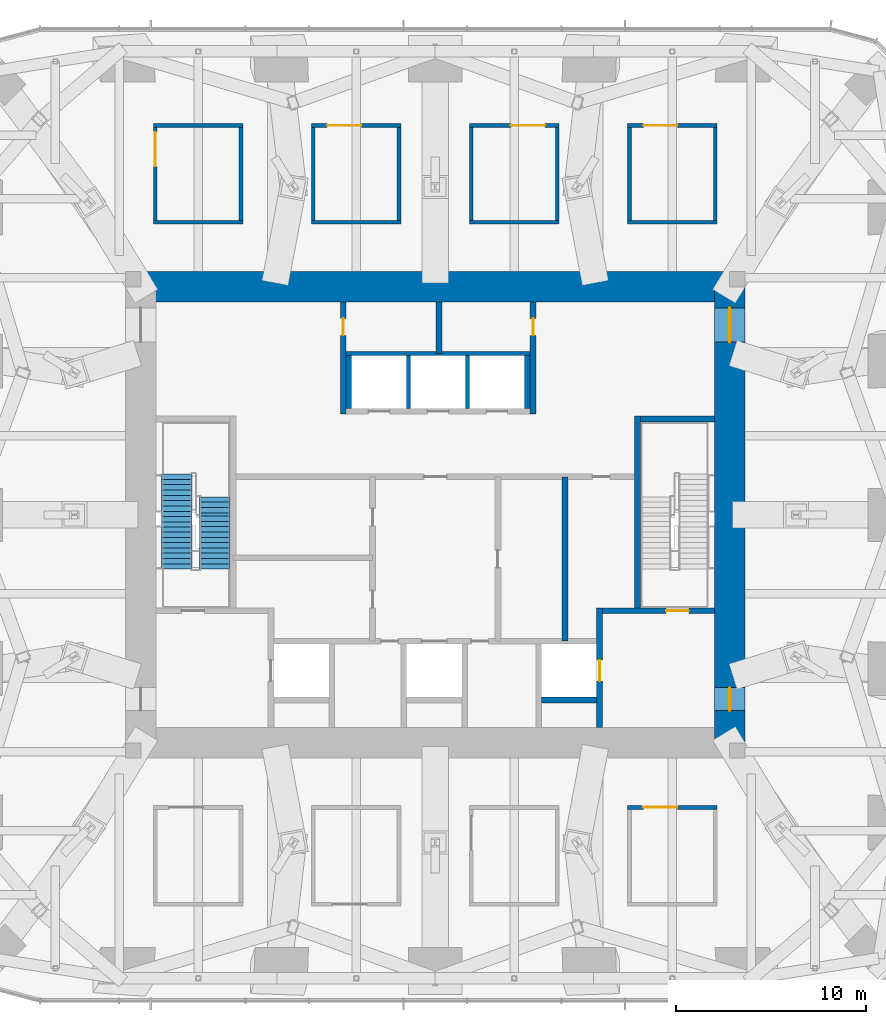
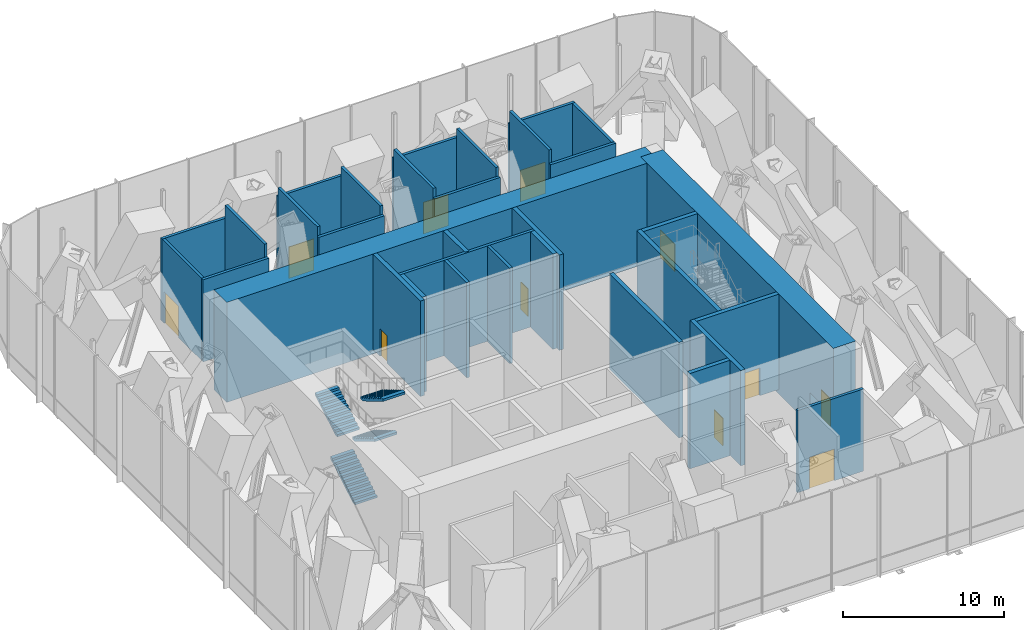
# One storey, part 13 of 16: 33 walls, 11 doors, 4 stair flights, 11 openings, 1 element without a shape of its own.
"""IFC4 building model written with IfcOpenShell, lengths in metres."""

from ifc_helpers import new_model, si_unit, direction, frame, frame_2d, origin, place, context, subcontext, project, spatial, polyline, rectangle, outline, extrude, material, layer, layer_set, type_object, element, fill, aggregate, save


model = new_model("IFC4")

# Units and contexts
model_context = context("Model", 3, precision=1e-05, world=origin(), true_north=direction((0.0, 1.0)))
body_context = subcontext(model_context, "Body", "Model", "MODEL_VIEW")
ifc_project = project(units=[si_unit("LENGTHUNIT", "METRE"), si_unit("AREAUNIT", "SQUARE_METRE"), si_unit("VOLUMEUNIT", "CUBIC_METRE"), si_unit("PLANEANGLEUNIT", "RADIAN"), si_unit("MASSUNIT", "GRAM", prefix="KILO")], contexts=[model_context])

# Site, building, storey
site_placement = place(None, origin())
site = spatial("IfcSite", under=ifc_project, at=site_placement, CompositionType="ELEMENT")
building_placement = place(site_placement, origin())
building = spatial("IfcBuilding", under=site, at=building_placement, Name="Khuree Lantern Residences", CompositionType="ELEMENT")
storey_placement = place(building_placement, frame((0.0, 0.0, 278.25)))
storey = spatial("IfcBuildingStorey", under=building, at=storey_placement, Name="L70", CompositionType="ELEMENT", Elevation=278.25)

# Wall, opening, door
ifc_material_1 = material(Name="Dense concrete blockwork", Category="masonry")
ifc_layer_1 = layer(ifc_material_1, 0.300048828125)
ifc_layer_set_1 = layer_set([ifc_layer_1], Name="CORE PARTITION WALL CPW300 EI 120")
wall_type_1 = type_object("IfcWallType", Name="CORE PARTITION WALL CPW300 EI 120", PredefinedType="PARTITIONING", material=ifc_layer_set_1)
wall_1_placement = place(storey_placement, frame((8.64990234375, -11.199951171875, 0.0), z_axis=(0.0, 0.0, 1.0), x_axis=(0.0, 1.0, 0.0)))
wall_1 = element("IfcWall", 1, at=wall_1_placement, inside=storey, type_object=wall_type_1, Name="L70 CORE WALL FL2E", PredefinedType="PARTITIONING", context=body_context, shape_type="SweptSolid", body=[
    extrude(rectangle(XDim=6.300048828125, YDim=0.300048828125, at=frame_2d((3.14990234375, 0.0))), origin(), (0.0, 0.0, 1.0), 7.25),
])
opening_1_placement = place(wall_1_placement, frame((2.449951171875, 0.0, 0.0)))
opening_1 = element("IfcOpeningElement", 2, at=opening_1_placement, cuts=wall_1, Name="Opening 70-008", PredefinedType="OPENING", context=body_context, shape_type="SweptSolid", body=[
    extrude(rectangle(XDim=1.10009765625, YDim=2.10009765625, at=frame_2d((0.550048828125, 1.050048828125))), frame((0.0, 0.16015625, 0.0), z_axis=(0.0, -1.0, 0.0), x_axis=(1.0, 0.0, 0.0)), (0.0, 0.0, 1.0), 0.320068359375),
])
ifc_material_2 = material(Name="Stainless steel lift landing door", Category="steel")
door_type_1 = type_object("IfcDoorType", Name="LIFT LANDING DOOR 1100X2100 E 120", OperationType="DOUBLE_DOOR_SLIDING", PredefinedType="DOOR", material=ifc_material_2)
door_1_placement = place(opening_1_placement, origin())
door_1 = element("IfcDoor", 3, at=door_1_placement, inside=storey, type_object=door_type_1, Name="Landing door FL2 70-008", OperationType="DOUBLE_DOOR_SLIDING", OverallHeight=2.10009765625, OverallWidth=1.10009765625, PredefinedType="DOOR", context=body_context, shape_type="SweptSolid", body=[
    extrude(rectangle(XDim=1.10009765625, YDim=2.10009765625, at=frame_2d((0.550048828125, 1.050048828125))), frame((0.0, 0.02490234375, 0.0), z_axis=(0.0, -1.0, 0.0), x_axis=(1.0, 0.0, 0.0)), (0.0, 0.0, 1.0), 0.050048828125),
])
fill(opening_1, door_1)

# Walls
wall_2_placement = place(storey_placement, frame((5.60009765625, -9.75, 0.0), z_axis=(0.0, 0.0, 1.0), x_axis=(1.0, 0.0, 0.0)))
element("IfcWall", 4, at=wall_2_placement, inside=storey, type_object=wall_type_1, Name="L70 CORE WALL FL2S", PredefinedType="PARTITIONING", context=body_context, shape_type="SweptSolid", body=[
    extrude(rectangle(XDim=2.89990234375, YDim=0.300048828125, at=frame_2d((1.449951171875, 0.0))), origin(), (0.0, 0.0, 1.0), 7.25),
])
for number, where, z_axis, x_axis, name in (
    (5, (-4.550048828125, 5.60009765625, 0.0), (0.0, 0.0, 1.0), (0.0, 1.0, 0.0), "L70 CORE WALL PHW"),
    (6, (4.85009765625, 5.60009765625, 0.0), (0.0, 0.0, 1.0), (0.0, 1.0, 0.0), "L70 CORE WALL PHE"),
):
    element("IfcWall", number, at=place(storey_placement, frame(where, z_axis=z_axis, x_axis=x_axis)), inside=storey, type_object=wall_type_1, Name=name, PredefinedType="PARTITIONING", context=body_context, shape_type="SweptSolid", body=[
        extrude(rectangle(XDim=2.7998046875, YDim=0.300048828125, at=frame_2d((1.39990234375, 0.0))), origin(), (0.0, 0.0, 1.0), 7.25),
    ])
wall_3_placement = place(storey_placement, frame((6.833984375, -6.64990234375, 0.0), z_axis=(0.0, 0.0, 1.0), x_axis=(0.0, 1.0, 0.0)))
element("IfcWall", 7, at=wall_3_placement, inside=storey, type_object=wall_type_1, Name="L70 CORE WALL EV", PredefinedType="PARTITIONING", context=body_context, shape_type="SweptSolid", body=[
    extrude(rectangle(XDim=8.64990234375, YDim=0.300048828125, at=frame_2d((4.324951171875, 0.0))), origin(), (0.0, 0.0, 1.0), 7.25),
])

# Wall, opening, door
wall_4_placement = place(storey_placement, frame((-4.85009765625, 5.300048828125, 0.0), z_axis=(0.0, 0.0, 1.0), x_axis=(0.0, 1.0, 0.0)))
wall_4 = element("IfcWall", 8, at=wall_4_placement, inside=storey, type_object=wall_type_1, Name="L70 CORE WALL NW", PredefinedType="PARTITIONING", context=body_context, shape_type="SweptSolid", body=[
    extrude(rectangle(XDim=5.89990234375, YDim=0.300048828125, at=frame_2d((2.949951171875, 0.0))), origin(), (0.0, 0.0, 1.0), 7.25),
])
opening_2_placement = place(wall_4_placement, frame((4.14990234375, 0.0, 0.0)))
opening_2 = element("IfcOpeningElement", 9, at=opening_2_placement, cuts=wall_4, Name="Opening 70-020", PredefinedType="OPENING", context=body_context, shape_type="SweptSolid", body=[
    extrude(rectangle(XDim=0.89990234375, YDim=2.10009765625, at=frame_2d((0.449951171875, 1.050048828125))), frame((0.0, 0.16015625, 0.0), z_axis=(0.0, -1.0, 0.0), x_axis=(1.0, 0.0, 0.0)), (0.0, 0.0, 1.0), 0.320068359375),
])
ifc_material_3 = material(Name="Timber door leaf in hardwood frame", Category="wood")
door_type_2 = type_object("IfcDoorType", Name="DOOR 900X2100 RIGHT HAND", OperationType="SINGLE_SWING_RIGHT", PredefinedType="DOOR", material=ifc_material_3)
door_2_placement = place(opening_2_placement, origin())
door_2 = element("IfcDoor", 10, at=door_2_placement, inside=storey, type_object=door_type_2, Name="Maintenance store door 70-020", OperationType="SINGLE_SWING_RIGHT", OverallHeight=2.10009765625, OverallWidth=0.89990234375, PredefinedType="DOOR", context=body_context, shape_type="SweptSolid", body=[
    extrude(rectangle(XDim=0.89990234375, YDim=2.10009765625, at=frame_2d((0.449951171875, 1.050048828125))), frame((0.0, 0.02490234375, 0.0), z_axis=(0.0, -1.0, 0.0), x_axis=(1.0, 0.0, 0.0)), (0.0, 0.0, 1.0), 0.050048828125),
])
fill(opening_2, door_2)

wall_5_placement = place(storey_placement, frame((5.14990234375, 5.300048828125, 0.0), z_axis=(0.0, 0.0, 1.0), x_axis=(0.0, 1.0, 0.0)))
wall_5 = element("IfcWall", 11, at=wall_5_placement, inside=storey, type_object=wall_type_1, Name="L70 CORE WALL NE", PredefinedType="PARTITIONING", context=body_context, shape_type="SweptSolid", body=[
    extrude(rectangle(XDim=5.89990234375, YDim=0.300048828125, at=frame_2d((2.949951171875, 0.0))), origin(), (0.0, 0.0, 1.0), 7.25),
])
opening_3_placement = place(wall_5_placement, frame((4.14990234375, 0.0, 0.0)))
opening_3 = element("IfcOpeningElement", 12, at=opening_3_placement, cuts=wall_5, Name="Opening 70-021", PredefinedType="OPENING", context=body_context, shape_type="SweptSolid", body=[
    extrude(rectangle(XDim=0.89990234375, YDim=2.10009765625, at=frame_2d((0.449951171875, 1.050048828125))), frame((0.0, 0.16015625, 0.0), z_axis=(0.0, -1.0, 0.0), x_axis=(1.0, 0.0, 0.0)), (0.0, 0.0, 1.0), 0.320068359375),
])
door_type_3 = type_object("IfcDoorType", Name="DOOR 900X2100", OperationType="SINGLE_SWING_LEFT", PredefinedType="DOOR", material=ifc_material_3)
door_3_placement = place(opening_3_placement, origin())
door_3 = element("IfcDoor", 13, at=door_3_placement, inside=storey, type_object=door_type_3, Name="Spares store door 70-021", OperationType="SINGLE_SWING_LEFT", OverallHeight=2.10009765625, OverallWidth=0.89990234375, PredefinedType="DOOR", context=body_context, shape_type="SweptSolid", body=[
    extrude(rectangle(XDim=0.89990234375, YDim=2.10009765625, at=frame_2d((0.449951171875, 1.050048828125))), frame((0.0, 0.02490234375, 0.0), z_axis=(0.0, -1.0, 0.0), x_axis=(1.0, 0.0, 0.0)), (0.0, 0.0, 1.0), 0.050048828125),
])
fill(opening_3, door_3)

# Wall
wall_6_placement = place(storey_placement, frame((0.199951171875, 8.5, 0.0), z_axis=(0.0, 0.0, 1.0), x_axis=(0.0, 1.0, 0.0)))
element("IfcWall", 14, at=wall_6_placement, inside=storey, type_object=wall_type_1, Name="L70 CORE WALL NX", PredefinedType="PARTITIONING", context=body_context, shape_type="SweptSolid", body=[
    extrude(rectangle(XDim=2.699951171875, YDim=0.300048828125, at=frame_2d((1.35009765625, 0.0))), origin(), (0.0, 0.0, 1.0), 7.25),
])

# Wall, openings, doors
ifc_material_4 = material(Name="Concrete C50/60", Category="concrete")
ifc_layer_2 = layer(ifc_material_4, 1.60009765625)
ifc_layer_set_2 = layer_set([ifc_layer_2], Name="CW1600-C50 CORE WALL C50 1600")
wall_type_2 = type_object("IfcWallType", Name="CW1600-C50 CORE WALL C50 1600", PredefinedType="SHEAR", material=ifc_layer_set_2)
wall_7_placement = place(storey_placement, frame((15.5, -12.0, -0.35009765625), z_axis=(0.0, 0.0, 1.0), x_axis=(0.0, 1.0, 0.0)))
wall_7 = element("IfcWall", 15, at=wall_7_placement, inside=storey, type_object=wall_type_2, Name="Core wall E", PredefinedType="SHEAR", context=body_context, shape_type="SweptSolid", body=[
    extrude(rectangle(XDim=24.0, YDim=1.60009765625, at=frame_2d((12.0, 0.0))), origin(), (0.0, 0.0, 1.0), 7.60009765625),
])
opening_4_placement = place(wall_7_placement, frame((1.699951171875, 0.0, 0.35009765625)))
opening_4 = element("IfcOpeningElement", 16, at=opening_4_placement, cuts=wall_7, Name="Opening 70-005", PredefinedType="OPENING", context=body_context, shape_type="SweptSolid", body=[
    extrude(rectangle(XDim=1.199951171875, YDim=2.10009765625, at=frame_2d((0.60009765625, 1.050048828125))), frame((0.0, 0.81005859375, 0.0), z_axis=(0.0, -1.0, 0.0), x_axis=(1.0, 0.0, 0.0)), (0.0, 0.0, 1.0), 1.6201171875),
])
opening_5_placement = place(wall_7_placement, frame((21.10009765625, 0.0, 0.35009765625)))
opening_5 = element("IfcOpeningElement", 17, at=opening_5_placement, cuts=wall_7, Name="Opening 70-006", PredefinedType="OPENING", context=body_context, shape_type="SweptSolid", body=[
    extrude(rectangle(XDim=1.800048828125, YDim=2.10009765625, at=frame_2d((0.89990234375, 1.050048828125))), frame((0.0, 0.81005859375, 0.0), z_axis=(0.0, -1.0, 0.0), x_axis=(1.0, 0.0, 0.0)), (0.0, 0.0, 1.0), 1.6201171875),
])
ifc_material_5 = material(Name="Steel door leaf in steel frame", Category="steel")
door_type_4 = type_object("IfcDoorType", Name="LOBBY DOOR 1200X2100 EI 120", OperationType="SINGLE_SWING_LEFT", PredefinedType="DOOR", material=ifc_material_5)
door_4_placement = place(opening_4_placement, origin())
door_4 = element("IfcDoor", 18, at=door_4_placement, inside=storey, type_object=door_type_4, Name="Firefighting lobby door 70-005", OperationType="SINGLE_SWING_LEFT", OverallHeight=2.10009765625, OverallWidth=1.199951171875, PredefinedType="DOOR", context=body_context, shape_type="SweptSolid", body=[
    extrude(rectangle(XDim=1.199951171875, YDim=2.10009765625, at=frame_2d((0.60009765625, 1.050048828125))), frame((0.0, 0.02490234375, 0.0), z_axis=(0.0, -1.0, 0.0), x_axis=(1.0, 0.0, 0.0)), (0.0, 0.0, 1.0), 0.050048828125),
])
fill(opening_4, door_4)
door_type_5 = type_object("IfcDoorType", Name="LOBBY DOUBLE DOOR 1800X2100 EI 60", OperationType="DOUBLE_DOOR_SINGLE_SWING", PredefinedType="DOOR", material=ifc_material_5)
door_5_placement = place(opening_5_placement, origin())
door_5 = element("IfcDoor", 19, at=door_5_placement, inside=storey, type_object=door_type_5, Name="Lift lobby door 70-006", OperationType="DOUBLE_DOOR_SINGLE_SWING", OverallHeight=2.10009765625, OverallWidth=1.800048828125, PredefinedType="DOOR", context=body_context, shape_type="SweptSolid", body=[
    extrude(rectangle(XDim=1.800048828125, YDim=2.10009765625, at=frame_2d((0.89990234375, 1.050048828125))), frame((0.0, 0.02490234375, 0.0), z_axis=(0.0, -1.0, 0.0), x_axis=(1.0, 0.0, 0.0)), (0.0, 0.0, 1.0), 0.050048828125),
])
fill(opening_5, door_5)

# Wall
wall_8_placement = place(storey_placement, frame((-15.5, 12.0, -0.35009765625), z_axis=(0.0, 0.0, 1.0), x_axis=(1.0, 0.0, 0.0)))
element("IfcWall", 20, at=wall_8_placement, inside=storey, type_object=wall_type_2, Name="Core wall N", PredefinedType="SHEAR", context=body_context, shape_type="SweptSolid", body=[
    extrude(rectangle(XDim=31.0, YDim=1.60009765625, at=frame_2d((15.5, 0.0))), origin(), (0.0, 0.0, 1.0), 7.60009765625),
])

# Wall, opening, door
ifc_layer_3 = layer(ifc_material_1, 0.199951171875)
ifc_layer_set_3 = layer_set([ifc_layer_3], Name="FIRE-RATED ROOM WALL FRW200 EI 120")
wall_type_3 = type_object("IfcWallType", Name="FIRE-RATED ROOM WALL FRW200 EI 120", PredefinedType="SOLIDWALL", material=ifc_layer_set_3)
wall_9_placement = place(storey_placement, frame((10.1201171875, -15.39990234375, 0.0), z_axis=(0.0, 0.0, 1.0), x_axis=(1.0, 0.0, 0.0)))
wall_9 = element("IfcWall", 21, at=wall_9_placement, inside=storey, type_object=wall_type_3, Name="L70 ROOM WALL 16", PredefinedType="SOLIDWALL", context=body_context, shape_type="SweptSolid", body=[
    extrude(rectangle(XDim=4.719970703125, YDim=0.199951171875, at=frame_2d((2.35986328125, 0.0))), origin(), (0.0, 0.0, 1.0), 6.25),
])
opening_6_placement = place(wall_9_placement, frame((0.833984375, 0.0, 0.0)))
opening_6 = element("IfcOpeningElement", 22, at=opening_6_placement, cuts=wall_9, Name="Opening 70-029", PredefinedType="OPENING", context=body_context, shape_type="SweptSolid", body=[
    extrude(rectangle(XDim=1.800048828125, YDim=2.39990234375, at=frame_2d((0.89990234375, 1.199951171875))), frame((0.0, 0.10986328125, 0.0), z_axis=(0.0, -1.0, 0.0), x_axis=(1.0, 0.0, 0.0)), (0.0, 0.0, 1.0), 0.219970703125),
])
door_type_6 = type_object("IfcDoorType", Name="PLANT ROOM DOOR 1800X2400 EI 60", OperationType="DOUBLE_DOOR_SINGLE_SWING", PredefinedType="DOOR", material=ifc_material_5)
door_6_placement = place(opening_6_placement, origin())
door_6 = element("IfcDoor", 23, at=door_6_placement, inside=storey, type_object=door_type_6, Name="Building management room door 70-029", OperationType="DOUBLE_DOOR_SINGLE_SWING", OverallHeight=2.39990234375, OverallWidth=1.800048828125, PredefinedType="DOOR", context=body_context, shape_type="SweptSolid", body=[
    extrude(rectangle(XDim=1.800048828125, YDim=2.39990234375, at=frame_2d((0.89990234375, 1.199951171875))), frame((0.0, 0.02490234375, 0.0), z_axis=(0.0, -1.0, 0.0), x_axis=(1.0, 0.0, 0.0)), (0.0, 0.0, 1.0), 0.050048828125),
])
fill(opening_6, door_6)

# Walls
wall_10_placement = place(storey_placement, frame((-14.840087890625, 15.39990234375, 0.0), z_axis=(0.0, 0.0, 1.0), x_axis=(1.0, 0.0, 0.0)))
element("IfcWall", 24, at=wall_10_placement, inside=storey, type_object=wall_type_3, Name="L70 ROOM WALL 17", PredefinedType="SOLIDWALL", context=body_context, shape_type="SweptSolid", body=[
    extrude(rectangle(XDim=4.719970703125, YDim=0.199951171875, at=frame_2d((2.35986328125, 0.0))), origin(), (0.0, 0.0, 1.0), 6.25),
])
for number, where, z_axis, x_axis, name in (
    (25, (-6.52001953125, 15.39990234375, 0.0), (0.0, 0.0, 1.0), (1.0, 0.0, 0.0), "L70 ROOM WALL 18"),
    (26, (1.800048828125, 15.39990234375, 0.0), (0.0, 0.0, 1.0), (1.0, 0.0, 0.0), "L70 ROOM WALL 19"),
):
    element("IfcWall", number, at=place(storey_placement, frame(where, z_axis=z_axis, x_axis=x_axis)), inside=storey, type_object=wall_type_3, Name=name, PredefinedType="SOLIDWALL", context=body_context, shape_type="SweptSolid", body=[
        extrude(rectangle(XDim=4.719970703125, YDim=0.199951171875, at=frame_2d((2.35986328125, 0.0))), origin(), (0.0, 0.0, 1.0), 6.56005859375),
    ])
wall_11_placement = place(storey_placement, frame((10.1201171875, 15.39990234375, 0.0), z_axis=(0.0, 0.0, 1.0), x_axis=(1.0, 0.0, 0.0)))
element("IfcWall", 27, at=wall_11_placement, inside=storey, type_object=wall_type_3, Name="L70 ROOM WALL 20", PredefinedType="SOLIDWALL", context=body_context, shape_type="SweptSolid", body=[
    extrude(rectangle(XDim=4.719970703125, YDim=0.199951171875, at=frame_2d((2.35986328125, 0.0))), origin(), (0.0, 0.0, 1.0), 6.25),
])

# Wall, opening, door
wall_12_placement = place(storey_placement, frame((-14.739990234375, 15.5, 0.0), z_axis=(0.0, 0.0, 1.0), x_axis=(0.0, 1.0, 0.0)))
wall_12 = element("IfcWall", 28, at=wall_12_placement, inside=storey, type_object=wall_type_3, Name="L70 ROOM WALL 21", PredefinedType="SOLIDWALL", context=body_context, shape_type="SweptSolid", body=[
    extrude(rectangle(XDim=4.89990234375, YDim=0.199951171875, at=frame_2d((2.449951171875, 0.0))), origin(), (0.0, 0.0, 1.0), 6.25),
])
opening_7_placement = place(wall_12_placement, frame((2.847900390625, 0.0, 0.0)))
opening_7 = element("IfcOpeningElement", 29, at=opening_7_placement, cuts=wall_12, Name="Opening 70-025", PredefinedType="OPENING", context=body_context, shape_type="SweptSolid", body=[
    extrude(rectangle(XDim=1.800048828125, YDim=2.39990234375, at=frame_2d((0.89990234375, 1.199951171875))), frame((0.0, 0.10986328125, 0.0), z_axis=(0.0, -1.0, 0.0), x_axis=(1.0, 0.0, 0.0)), (0.0, 0.0, 1.0), 0.219970703125),
])
door_7_placement = place(opening_7_placement, origin())
door_7 = element("IfcDoor", 30, at=door_7_placement, inside=storey, type_object=door_type_6, Name="Transformer room door 70-025", OperationType="DOUBLE_DOOR_SINGLE_SWING", OverallHeight=2.39990234375, OverallWidth=1.800048828125, PredefinedType="DOOR", context=body_context, shape_type="SweptSolid", body=[
    extrude(rectangle(XDim=1.800048828125, YDim=2.39990234375, at=frame_2d((0.89990234375, 1.199951171875))), frame((0.0, 0.02490234375, 0.0), z_axis=(0.0, -1.0, 0.0), x_axis=(1.0, 0.0, 0.0)), (0.0, 0.0, 1.0), 0.050048828125),
])
fill(opening_7, door_7)

# Walls
for number, where, z_axis, x_axis, name in (
    (31, (-10.219970703125, 15.5, 0.0), (0.0, 0.0, 1.0), (0.0, 1.0, 0.0), "L70 ROOM WALL 22"),
    (32, (-6.419921875, 15.5, 0.0), (0.0, 0.0, 1.0), (0.0, 1.0, 0.0), "L70 ROOM WALL 23"),
    (33, (-1.89990234375, 15.5, 0.0), (0.0, 0.0, 1.0), (0.0, 1.0, 0.0), "L70 ROOM WALL 24"),
    (34, (1.89990234375, 15.5, 0.0), (0.0, 0.0, 1.0), (0.0, 1.0, 0.0), "L70 ROOM WALL 25"),
    (35, (6.419921875, 15.5, 0.0), (0.0, 0.0, 1.0), (0.0, 1.0, 0.0), "L70 ROOM WALL 26"),
    (36, (10.219970703125, 15.5, 0.0), (0.0, 0.0, 1.0), (0.0, 1.0, 0.0), "L70 ROOM WALL 27"),
):
    element("IfcWall", number, at=place(storey_placement, frame(where, z_axis=z_axis, x_axis=x_axis)), inside=storey, type_object=wall_type_3, Name=name, PredefinedType="SOLIDWALL", context=body_context, shape_type="SweptSolid", body=[
        extrude(rectangle(XDim=4.89990234375, YDim=0.199951171875, at=frame_2d((2.449951171875, 0.0))), origin(), (0.0, 0.0, 1.0), 7.25),
    ])
wall_13_placement = place(storey_placement, frame((14.739990234375, 15.5, 0.0), z_axis=(0.0, 0.0, 1.0), x_axis=(0.0, 1.0, 0.0)))
element("IfcWall", 37, at=wall_13_placement, inside=storey, type_object=wall_type_3, Name="L70 ROOM WALL 28", PredefinedType="SOLIDWALL", context=body_context, shape_type="SweptSolid", body=[
    extrude(rectangle(XDim=4.89990234375, YDim=0.199951171875, at=frame_2d((2.449951171875, 0.0))), origin(), (0.0, 0.0, 1.0), 6.25),
])
wall_14_placement = place(storey_placement, frame((-14.840087890625, 20.5, 0.0), z_axis=(0.0, 0.0, 1.0), x_axis=(1.0, 0.0, 0.0)))
element("IfcWall", 38, at=wall_14_placement, inside=storey, type_object=wall_type_3, Name="L70 ROOM WALL 29", PredefinedType="SOLIDWALL", context=body_context, shape_type="SweptSolid", body=[
    extrude(rectangle(XDim=4.719970703125, YDim=0.199951171875, at=frame_2d((2.35986328125, 0.0))), origin(), (0.0, 0.0, 1.0), 6.25),
])

# Wall, opening, door
wall_15_placement = place(storey_placement, frame((-6.52001953125, 20.5, 0.0), z_axis=(0.0, 0.0, 1.0), x_axis=(1.0, 0.0, 0.0)))
wall_15 = element("IfcWall", 39, at=wall_15_placement, inside=storey, type_object=wall_type_3, Name="L70 ROOM WALL 30", PredefinedType="SOLIDWALL", context=body_context, shape_type="SweptSolid", body=[
    extrude(rectangle(XDim=4.719970703125, YDim=0.199951171875, at=frame_2d((2.35986328125, 0.0))), origin(), (0.0, 0.0, 1.0), 6.56005859375),
])
opening_8_placement = place(wall_15_placement, frame((0.833984375, 0.0, 0.0)))
opening_8 = element("IfcOpeningElement", 40, at=opening_8_placement, cuts=wall_15, Name="Opening 70-023", PredefinedType="OPENING", context=body_context, shape_type="SweptSolid", body=[
    extrude(rectangle(XDim=1.800048828125, YDim=2.39990234375, at=frame_2d((0.89990234375, 1.199951171875))), frame((0.0, 0.10986328125, 0.0), z_axis=(0.0, -1.0, 0.0), x_axis=(1.0, 0.0, 0.0)), (0.0, 0.0, 1.0), 0.219970703125),
])
door_8_placement = place(opening_8_placement, origin())
door_8 = element("IfcDoor", 41, at=door_8_placement, inside=storey, type_object=door_type_6, Name="Transfer water tank room door 70-023", OperationType="DOUBLE_DOOR_SINGLE_SWING", OverallHeight=2.39990234375, OverallWidth=1.800048828125, PredefinedType="DOOR", context=body_context, shape_type="SweptSolid", body=[
    extrude(rectangle(XDim=1.800048828125, YDim=2.39990234375, at=frame_2d((0.89990234375, 1.199951171875))), frame((0.0, 0.02490234375, 0.0), z_axis=(0.0, -1.0, 0.0), x_axis=(1.0, 0.0, 0.0)), (0.0, 0.0, 1.0), 0.050048828125),
])
fill(opening_8, door_8)

wall_16_placement = place(storey_placement, frame((1.800048828125, 20.5, 0.0), z_axis=(0.0, 0.0, 1.0), x_axis=(1.0, 0.0, 0.0)))
wall_16 = element("IfcWall", 42, at=wall_16_placement, inside=storey, type_object=wall_type_3, Name="L70 ROOM WALL 31", PredefinedType="SOLIDWALL", context=body_context, shape_type="SweptSolid", body=[
    extrude(rectangle(XDim=4.719970703125, YDim=0.199951171875, at=frame_2d((2.35986328125, 0.0))), origin(), (0.0, 0.0, 1.0), 6.56005859375),
])
opening_9_placement = place(wall_16_placement, frame((2.180908203125, 0.0, 0.0)))
opening_9 = element("IfcOpeningElement", 43, at=opening_9_placement, cuts=wall_16, Name="Opening 70-022", PredefinedType="OPENING", context=body_context, shape_type="SweptSolid", body=[
    extrude(rectangle(XDim=1.800048828125, YDim=2.39990234375, at=frame_2d((0.89990234375, 1.199951171875))), frame((0.0, 0.10986328125, 0.0), z_axis=(0.0, -1.0, 0.0), x_axis=(1.0, 0.0, 0.0)), (0.0, 0.0, 1.0), 0.219970703125),
])
door_9_placement = place(opening_9_placement, origin())
door_9 = element("IfcDoor", 44, at=door_9_placement, inside=storey, type_object=door_type_6, Name="Booster pump plant room door 70-022", OperationType="DOUBLE_DOOR_SINGLE_SWING", OverallHeight=2.39990234375, OverallWidth=1.800048828125, PredefinedType="DOOR", context=body_context, shape_type="SweptSolid", body=[
    extrude(rectangle(XDim=1.800048828125, YDim=2.39990234375, at=frame_2d((0.89990234375, 1.199951171875))), frame((0.0, 0.02490234375, 0.0), z_axis=(0.0, -1.0, 0.0), x_axis=(1.0, 0.0, 0.0)), (0.0, 0.0, 1.0), 0.050048828125),
])
fill(opening_9, door_9)

wall_17_placement = place(storey_placement, frame((10.1201171875, 20.5, 0.0), z_axis=(0.0, 0.0, 1.0), x_axis=(1.0, 0.0, 0.0)))
wall_17 = element("IfcWall", 45, at=wall_17_placement, inside=storey, type_object=wall_type_3, Name="L70 ROOM WALL 32", PredefinedType="SOLIDWALL", context=body_context, shape_type="SweptSolid", body=[
    extrude(rectangle(XDim=4.719970703125, YDim=0.199951171875, at=frame_2d((2.35986328125, 0.0))), origin(), (0.0, 0.0, 1.0), 6.25),
])
opening_10_placement = place(wall_17_placement, frame((0.833984375, 0.0, 0.0)))
opening_10 = element("IfcOpeningElement", 46, at=opening_10_placement, cuts=wall_17, Name="Opening 70-024", PredefinedType="OPENING", context=body_context, shape_type="SweptSolid", body=[
    extrude(rectangle(XDim=1.800048828125, YDim=2.39990234375, at=frame_2d((0.89990234375, 1.199951171875))), frame((0.0, 0.10986328125, 0.0), z_axis=(0.0, -1.0, 0.0), x_axis=(1.0, 0.0, 0.0)), (0.0, 0.0, 1.0), 0.219970703125),
])
door_10_placement = place(opening_10_placement, origin())
door_10 = element("IfcDoor", 47, at=door_10_placement, inside=storey, type_object=door_type_6, Name="Sprinkler valve plant room door 70-024", OperationType="DOUBLE_DOOR_SINGLE_SWING", OverallHeight=2.39990234375, OverallWidth=1.800048828125, PredefinedType="DOOR", context=body_context, shape_type="SweptSolid", body=[
    extrude(rectangle(XDim=1.800048828125, YDim=2.39990234375, at=frame_2d((0.89990234375, 1.199951171875))), frame((0.0, 0.02490234375, 0.0), z_axis=(0.0, -1.0, 0.0), x_axis=(1.0, 0.0, 0.0)), (0.0, 0.0, 1.0), 0.050048828125),
])
fill(opening_10, door_10)

# Walls
ifc_layer_4 = layer(ifc_material_1, 0.199951171875)
ifc_layer_set_4 = layer_set([ifc_layer_4], Name="SHAFT WALL SHW200 EI 120")
wall_type_4 = type_object("IfcWallType", Name="SHAFT WALL SHW200 EI 120", PredefinedType="PARTITIONING", material=ifc_layer_set_4)
wall_18_placement = place(storey_placement, frame((-4.699951171875, 8.5, 0.0), z_axis=(0.0, 0.0, 1.0), x_axis=(1.0, 0.0, 0.0)))
element("IfcWall", 48, at=wall_18_placement, inside=storey, type_object=wall_type_4, Name="L70 CORE WALL PHN", PredefinedType="PARTITIONING", context=body_context, shape_type="SweptSolid", body=[
    extrude(rectangle(XDim=9.699951171875, YDim=0.199951171875, at=frame_2d((4.85009765625, 0.0))), origin(), (0.0, 0.0, 1.0), 7.25),
])
for number, where, z_axis, x_axis, name in (
    (49, (-1.39990234375, 5.60009765625, 0.0), (0.0, 0.0, 1.0), (0.0, 1.0, 0.0), "L70 CORE WALL PHD1"),
    (50, (1.699951171875, 5.60009765625, 0.0), (0.0, 0.0, 1.0), (0.0, 1.0, 0.0), "L70 CORE WALL PHD2"),
):
    element("IfcWall", number, at=place(storey_placement, frame(where, z_axis=z_axis, x_axis=x_axis)), inside=storey, type_object=wall_type_4, Name=name, PredefinedType="PARTITIONING", context=body_context, shape_type="SweptSolid", body=[
        extrude(rectangle(XDim=2.7998046875, YDim=0.199951171875, at=frame_2d((1.39990234375, 0.0))), origin(), (0.0, 0.0, 1.0), 7.25),
    ])
ifc_layer_5 = layer(ifc_material_4, 0.300048828125)
ifc_layer_set_5 = layer_set([ifc_layer_5], Name="STAIR WALL SRW300 C50/60 REI 240")
wall_type_5 = type_object("IfcWallType", Name="STAIR WALL SRW300 C50/60 REI 240", PredefinedType="SOLIDWALL", material=ifc_layer_set_5)
wall_19_placement = place(storey_placement, frame((10.64990234375, -4.89990234375, 0.0), z_axis=(0.0, 0.0, 1.0), x_axis=(0.0, 1.0, 0.0)))
element("IfcWall", 51, at=wall_19_placement, inside=storey, type_object=wall_type_5, Name="L70 STAIR WALL ST2E", PredefinedType="SOLIDWALL", context=body_context, shape_type="SweptSolid", body=[
    extrude(rectangle(XDim=10.099853515625, YDim=0.300048828125, at=frame_2d((5.0498046875, 0.0))), origin(), (0.0, 0.0, 1.0), 7.25),
])

# Wall, opening, door
wall_20_placement = place(storey_placement, frame((14.699951171875, -5.050048828125, 0.0), z_axis=(0.0, 0.0, 1.0), x_axis=(-1.0, 0.0, 0.0)))
wall_20 = element("IfcWall", 52, at=wall_20_placement, inside=storey, type_object=wall_type_5, Name="L70 STAIR WALL ST2S", PredefinedType="SOLIDWALL", context=body_context, shape_type="SweptSolid", body=[
    extrude(rectangle(XDim=5.89990234375, YDim=0.300048828125, at=frame_2d((2.949951171875, 0.0))), origin(), (0.0, 0.0, 1.0), 7.25),
])
opening_11_placement = place(wall_20_placement, frame((1.35009765625, 0.0, 0.0)))
opening_11 = element("IfcOpeningElement", 53, at=opening_11_placement, cuts=wall_20, Name="Opening 70-004", PredefinedType="OPENING", context=body_context, shape_type="SweptSolid", body=[
    extrude(rectangle(XDim=1.199951171875, YDim=2.10009765625, at=frame_2d((0.60009765625, 1.050048828125))), frame((0.0, 0.16015625, 0.0), z_axis=(0.0, -1.0, 0.0), x_axis=(1.0, 0.0, 0.0)), (0.0, 0.0, 1.0), 0.320068359375),
])
door_type_7 = type_object("IfcDoorType", Name="STAIR DOOR 1200X2100 EI 120", OperationType="SINGLE_SWING_LEFT", PredefinedType="DOOR", material=ifc_material_5)
door_11_placement = place(opening_11_placement, origin())
door_11 = element("IfcDoor", 54, at=door_11_placement, inside=storey, type_object=door_type_7, Name="Stair ST2 door 70-004", OperationType="SINGLE_SWING_LEFT", OverallHeight=2.10009765625, OverallWidth=1.199951171875, PredefinedType="DOOR", context=body_context, shape_type="SweptSolid", body=[
    extrude(rectangle(XDim=1.199951171875, YDim=2.10009765625, at=frame_2d((0.60009765625, 1.050048828125))), frame((0.0, 0.02490234375, 0.0), z_axis=(0.0, -1.0, 0.0), x_axis=(1.0, 0.0, 0.0)), (0.0, 0.0, 1.0), 0.050048828125),
])
fill(opening_11, door_11)

# Wall
wall_21_placement = place(storey_placement, frame((14.699951171875, 5.050048828125, 0.0), z_axis=(0.0, 0.0, 1.0), x_axis=(-1.0, 0.0, 0.0)))
element("IfcWall", 55, at=wall_21_placement, inside=storey, type_object=wall_type_5, Name="L70 STAIR WALL ST2N", PredefinedType="SOLIDWALL", context=body_context, shape_type="SweptSolid", body=[
    extrude(rectangle(XDim=3.89990234375, YDim=0.300048828125, at=frame_2d((1.949951171875, 0.0))), origin(), (0.0, 0.0, 1.0), 7.25),
])

# Stair, stair flights
ifc_material_6 = material(Name="Concrete C40/50", Category="concrete")
stair_type = type_object("IfcStairType", Name="STAIR ST1 HALF TURN 3600", PredefinedType="HALF_TURN_STAIR", material=ifc_material_6)
stair_placement = place(storey_placement, origin())
stair = element("IfcStair", 56, at=stair_placement, inside=storey, type_object=stair_type, Name="Stair ST1", PredefinedType="HALF_TURN_STAIR")
stair_flight_type = type_object("IfcStairFlightType", Name="STAIR FLIGHT SF1 1600", PredefinedType="STRAIGHT", material=ifc_material_6)
stair_flight_1_placement = place(storey_placement, frame((-13.60009765625, -2.860107421875, 0.0), z_axis=(0.0, 0.0, 1.0), x_axis=(0.0, 1.0, 0.0)))
stair_flight_1 = element("IfcStairFlight", 57, at=stair_flight_1_placement, type_object=stair_flight_type, Name="ST1 flight 1", NumberOfRisers=12, NumberOfTreads=11, PredefinedType="STRAIGHT", RiserHeight=0.166666667, TreadLength=0.28, context=body_context, shape_type="SweptSolid", body=[
    extrude(outline(polyline([(0.0, 0.0), (0.0, 0.166748046875), (0.280029296875, 0.166748046875), (0.280029296875, 0.333251953125), (0.56005859375, 0.333251953125), (0.56005859375, 0.5), (0.840087890625, 0.5), (0.840087890625, 0.666748046875), (1.1201171875, 0.666748046875), (1.1201171875, 0.833251953125), (1.39990234375, 0.833251953125), (1.39990234375, 1.0), (1.679931640625, 1.0), (1.679931640625, 1.166748046875), (1.9599609375, 1.166748046875), (1.9599609375, 1.333251953125), (2.239990234375, 1.333251953125), (2.239990234375, 1.5), (2.52001953125, 1.5), (2.52001953125, 1.666748046875), (2.800048828125, 1.666748046875), (2.800048828125, 1.833251953125), (3.080078125, 1.833251953125), (3.080078125, 2.0), (3.080078125, 1.658935546875), (0.29296875, 0.0), (0.0, 0.0)])), frame((0.0, 0.800048828125, 0.0), z_axis=(0.0, -1.0, 0.0), x_axis=(1.0, 0.0, 0.0)), (0.0, 0.0, 1.0), 1.60009765625),
])
stair_flight_2_placement = place(storey_placement, frame((-11.60009765625, 0.949951171875, 2.0), z_axis=(0.0, 0.0, 1.0), x_axis=(0.0, -1.0, 0.0)))
stair_flight_2 = element("IfcStairFlight", 58, at=stair_flight_2_placement, type_object=stair_flight_type, Name="ST1 flight 2", NumberOfRisers=11, NumberOfTreads=10, PredefinedType="STRAIGHT", RiserHeight=0.166666667, TreadLength=0.28, context=body_context, shape_type="SweptSolid", body=[
    extrude(outline(polyline([(0.0, 0.0), (0.0, 0.166748046875), (0.280029296875, 0.166748046875), (0.280029296875, 0.333251953125), (0.56005859375, 0.333251953125), (0.56005859375, 0.5), (0.840087890625, 0.5), (0.840087890625, 0.666748046875), (1.1201171875, 0.666748046875), (1.1201171875, 0.833251953125), (1.39990234375, 0.833251953125), (1.39990234375, 1.0), (1.679931640625, 1.0), (1.679931640625, 1.166748046875), (1.9599609375, 1.166748046875), (1.9599609375, 1.333251953125), (2.239990234375, 1.333251953125), (2.239990234375, 1.5), (2.52001953125, 1.5), (2.52001953125, 1.666748046875), (2.800048828125, 1.666748046875), (2.800048828125, 1.833251953125), (2.800048828125, 1.4921875), (0.29296875, 0.0), (0.0, 0.0)])), frame((0.0, 0.800048828125, 0.0), z_axis=(0.0, -1.0, 0.0), x_axis=(1.0, 0.0, 0.0)), (0.0, 0.0, 1.0), 1.60009765625),
])
stair_flight_3_placement = place(storey_placement, frame((-13.60009765625, -0.64990234375, 3.833251953125), z_axis=(0.0, 0.0, 1.0), x_axis=(0.0, 1.0, 0.0)))
stair_flight_3 = element("IfcStairFlight", 59, at=stair_flight_3_placement, type_object=stair_flight_type, Name="ST1 flight 3", NumberOfRisers=11, NumberOfTreads=10, PredefinedType="STRAIGHT", RiserHeight=0.166666667, TreadLength=0.28, context=body_context, shape_type="SweptSolid", body=[
    extrude(outline(polyline([(0.0, 0.0), (0.0, 0.166748046875), (0.280029296875, 0.166748046875), (0.280029296875, 0.333251953125), (0.56005859375, 0.333251953125), (0.56005859375, 0.5), (0.840087890625, 0.5), (0.840087890625, 0.666748046875), (1.1201171875, 0.666748046875), (1.1201171875, 0.833251953125), (1.39990234375, 0.833251953125), (1.39990234375, 1.0), (1.679931640625, 1.0), (1.679931640625, 1.166748046875), (1.9599609375, 1.166748046875), (1.9599609375, 1.333251953125), (2.239990234375, 1.333251953125), (2.239990234375, 1.5), (2.52001953125, 1.5), (2.52001953125, 1.666748046875), (2.800048828125, 1.666748046875), (2.800048828125, 1.833251953125), (2.800048828125, 1.4921875), (0.29296875, 0.0), (0.0, 0.0)])), frame((0.0, 0.800048828125, 0.0), z_axis=(0.0, -1.0, 0.0), x_axis=(1.0, 0.0, 0.0)), (0.0, 0.0, 1.0), 1.60009765625),
])
stair_flight_4_placement = place(storey_placement, frame((-11.60009765625, -0.06005859375, 5.666748046875), z_axis=(0.0, 0.0, 1.0), x_axis=(0.0, -1.0, 0.0)))
stair_flight_4 = element("IfcStairFlight", 60, at=stair_flight_4_placement, type_object=stair_flight_type, Name="ST1 flight 4", NumberOfRisers=11, NumberOfTreads=10, PredefinedType="STRAIGHT", RiserHeight=0.166666667, TreadLength=0.28, context=body_context, shape_type="SweptSolid", body=[
    extrude(outline(polyline([(0.0, 0.0), (0.0, 0.166748046875), (0.280029296875, 0.166748046875), (0.280029296875, 0.333251953125), (0.56005859375, 0.333251953125), (0.56005859375, 0.5), (0.840087890625, 0.5), (0.840087890625, 0.666748046875), (1.1201171875, 0.666748046875), (1.1201171875, 0.833251953125), (1.39990234375, 0.833251953125), (1.39990234375, 1.0), (1.679931640625, 1.0), (1.679931640625, 1.166748046875), (1.9599609375, 1.166748046875), (1.9599609375, 1.333251953125), (2.239990234375, 1.333251953125), (2.239990234375, 1.5), (2.52001953125, 1.5), (2.52001953125, 1.666748046875), (2.800048828125, 1.666748046875), (2.800048828125, 1.833251953125), (2.800048828125, 1.4921875), (0.29296875, 0.0), (0.0, 0.0)])), frame((0.0, 0.800048828125, 0.0), z_axis=(0.0, -1.0, 0.0), x_axis=(1.0, 0.0, 0.0)), (0.0, 0.0, 1.0), 1.60009765625),
])
aggregate(stair, [stair_flight_1, stair_flight_2, stair_flight_3, stair_flight_4])

save(model, "model.ifc")
